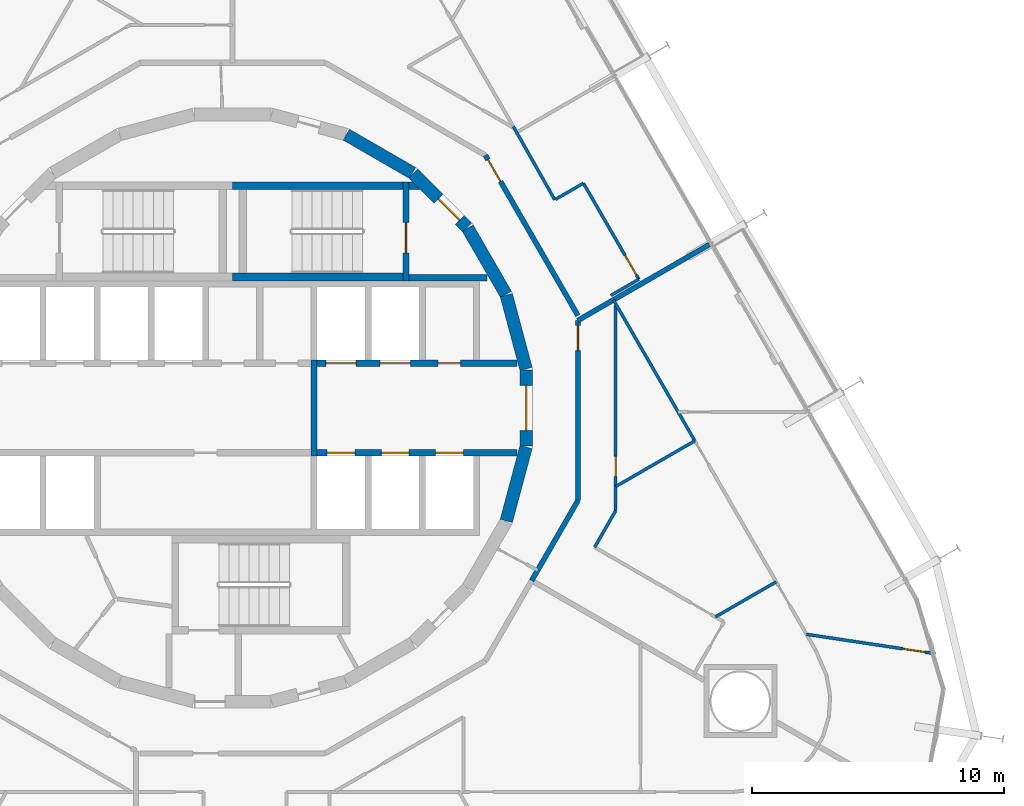
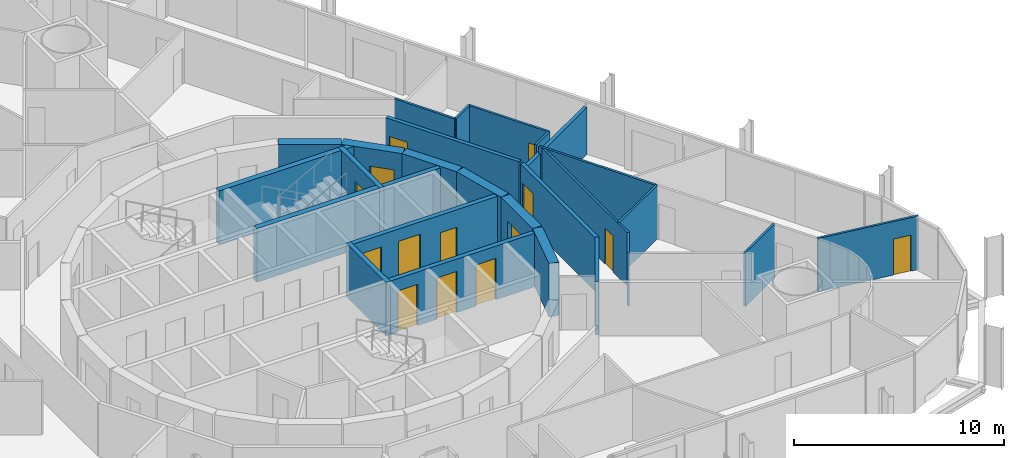
# One storey, part 16 of 19: 28 walls, 14 doors, 14 openings.
"""IFC4 building model written with IfcOpenShell, lengths in metres."""

from ifc_helpers import new_model, si_unit, direction, frame, frame_2d, origin, place, context, subcontext, project, spatial, polyline, rectangle, outline, extrude, material, layer, layer_set, type_object, element, fill, save


model = new_model("IFC4")

# Units and contexts
model_context = context("Model", 3, precision=1e-05, world=origin(), true_north=direction((0.0, 1.0)))
body_context = subcontext(model_context, "Body", "Model", "MODEL_VIEW")
ifc_project = project(units=[si_unit("LENGTHUNIT", "METRE"), si_unit("AREAUNIT", "SQUARE_METRE"), si_unit("VOLUMEUNIT", "CUBIC_METRE"), si_unit("PLANEANGLEUNIT", "RADIAN"), si_unit("MASSUNIT", "GRAM", prefix="KILO")], contexts=[model_context])

# Site, building, storey
site_placement = place(None, origin())
site = spatial("IfcSite", under=ifc_project, at=site_placement, CompositionType="ELEMENT")
building_placement = place(site_placement, origin())
building = spatial("IfcBuilding", under=site, at=building_placement, Name="Spindle Arch Residences", CompositionType="ELEMENT")
storey_placement = place(building_placement, frame((0.0, 0.0, 45.39990234375)))
storey = spatial("IfcBuildingStorey", under=building, at=storey_placement, Name="L09", CompositionType="ELEMENT", Elevation=45.39990234375)

# Wall
ifc_material_1 = material(Name="Concrete C50/60", Category="concrete")
ifc_layer_1 = layer(ifc_material_1, 0.5)
ifc_layer_set_1 = layer_set([ifc_layer_1], Name="Core outline wall 500")
wall_type_1 = type_object("IfcWallType", Name="Core outline wall 500", PredefinedType="SHEAR", material=ifc_layer_set_1)
wall_1_placement = place(storey_placement, frame((10.858154296875, -4.479248046875, 0.0), z_axis=(0.0, 0.0, 1.0), x_axis=(0.258734743916, 0.965948410781, 0.0)))
element("IfcWall", 1, at=wall_1_placement, inside=storey, type_object=wall_type_1, Name="Core outline wall 5", PredefinedType="SHEAR", context=body_context, shape_type="SweptSolid", body=[
    extrude(rectangle(XDim=3.03271484375, YDim=0.5, at=frame_2d((1.516357421875, 0.0))), origin(), (0.0, 0.0, 1.0), 3.1201171875),
])

# Wall, opening, door
wall_2_placement = place(storey_placement, frame((11.647216796875, -1.516357421875, 0.0), z_axis=(0.0, 0.0, 1.0), x_axis=(0.0, 1.0, 0.0)))
wall_2 = element("IfcWall", 2, at=wall_2_placement, inside=storey, type_object=wall_type_1, Name="Core outline wall 6", PredefinedType="SHEAR", context=body_context, shape_type="SweptSolid", body=[
    extrude(rectangle(XDim=3.03271484375, YDim=0.5, at=frame_2d((1.516357421875, 0.0))), origin(), (0.0, 0.0, 1.0), 3.1201171875),
])
opening_1_placement = place(wall_2_placement, frame((0.6162109375, 0.0, 0.0)))
opening_1 = element("IfcOpeningElement", 3, at=opening_1_placement, cuts=wall_2, Name="Opening R1A0-FE01", PredefinedType="OPENING", context=body_context, shape_type="SweptSolid", body=[
    extrude(rectangle(XDim=1.800048828125, YDim=2.10009765625, at=frame_2d((0.89990234375, 1.050048828125))), frame((0.0, 0.260009765625, 0.0), z_axis=(0.0, -1.0, 0.0), x_axis=(1.0, 0.0, 0.0)), (0.0, 0.0, 1.0), 0.52001953125),
])
ifc_material_2 = material(Name="Steel, fire-resisting door", Category="steel")
door_type_1 = type_object("IfcDoorType", Name="Fire-lift lobby door 1800x2100", OperationType="DOUBLE_DOOR_SINGLE_SWING", PredefinedType="DOOR", material=ifc_material_2)
door_1_placement = place(opening_1_placement, origin())
door_1 = element("IfcDoor", 4, at=door_1_placement, inside=storey, type_object=door_type_1, Name="Fire-lift lobby door R1A0-FE01", OperationType="DOUBLE_DOOR_SINGLE_SWING", OverallHeight=2.10009765625, OverallWidth=1.800048828125, PredefinedType="DOOR", context=body_context, shape_type="SweptSolid", body=[
    extrude(rectangle(XDim=1.800048828125, YDim=2.10009765625, at=frame_2d((0.89990234375, 1.050048828125))), frame((0.0, 0.02490234375, 0.0), z_axis=(0.0, -1.0, 0.0), x_axis=(1.0, 0.0, 0.0)), (0.0, 0.0, 1.0), 0.050048828125),
])
fill(opening_1, door_1)

# Walls
for number, where, z_axis, x_axis, name in (
    (5, (11.642822265625, 1.5498046875, 0.0), (0.0, 0.0, 1.0), (-0.258734743916, 0.965948410781, 0.0), "Core outline wall 7"),
    (6, (10.84521484375, 4.510498046875, 0.0), (0.0, 0.0, 1.0), (-0.500087131594, 0.865975092491, 0.0), "Core outline wall 8"),
):
    element("IfcWall", number, at=place(storey_placement, frame(where, z_axis=z_axis, x_axis=x_axis)), inside=storey, type_object=wall_type_1, Name=name, PredefinedType="SHEAR", context=body_context, shape_type="SweptSolid", body=[
        extrude(rectangle(XDim=3.03271484375, YDim=0.5, at=frame_2d((1.516357421875, 0.0))), origin(), (0.0, 0.0, 1.0), 3.1201171875),
    ])

# Wall, opening, door
wall_3_placement = place(storey_placement, frame((9.30810546875, 7.163818359375, 0.0), z_axis=(0.0, 0.0, 1.0), x_axis=(-0.707106781187, 0.707106781187, 0.0)))
wall_3 = element("IfcWall", 7, at=wall_3_placement, inside=storey, type_object=wall_type_1, Name="Core outline wall 9", PredefinedType="SHEAR", context=body_context, shape_type="SweptSolid", body=[
    extrude(rectangle(XDim=3.032470703125, YDim=0.5, at=frame_2d((1.51611328125, 0.0))), origin(), (0.0, 0.0, 1.0), 3.1201171875),
])
opening_2_placement = place(wall_3_placement, frame((0.416259765625, 0.0, 0.0)))
opening_2 = element("IfcOpeningElement", 8, at=opening_2_placement, cuts=wall_3, Name="Opening R1A0-AD01", PredefinedType="OPENING", context=body_context, shape_type="SweptSolid", body=[
    extrude(rectangle(XDim=1.199951171875, YDim=2.10009765625, at=frame_2d((0.60009765625, 1.050048828125))), frame((0.0, 0.260009765625, 0.0), z_axis=(0.0, -1.0, 0.0), x_axis=(1.0, 0.0, 0.0)), (0.0, 0.0, 1.0), 0.52001953125),
])
ifc_material_3 = material(Name="Steel, fire-resisting door", Category="steel")
door_type_2 = type_object("IfcDoorType", Name="Stair airlock door 1200x2100", OperationType="SINGLE_SWING_LEFT", PredefinedType="DOOR", material=ifc_material_3)
door_2_placement = place(opening_2_placement, origin())
door_2 = element("IfcDoor", 9, at=door_2_placement, inside=storey, type_object=door_type_2, Name="Stair airlock door R1A0-AD01", OperationType="SINGLE_SWING_RIGHT", OverallHeight=2.10009765625, OverallWidth=1.199951171875, PredefinedType="DOOR", context=body_context, shape_type="SweptSolid", body=[
    extrude(rectangle(XDim=1.199951171875, YDim=2.10009765625, at=frame_2d((0.60009765625, 1.050048828125))), frame((0.0, 0.02490234375, 0.0), z_axis=(0.0, -1.0, 0.0), x_axis=(1.0, 0.0, 0.0)), (0.0, 0.0, 1.0), 0.050048828125),
])
fill(opening_2, door_2)

# Wall
wall_4_placement = place(storey_placement, frame((7.13671875, 9.32861328125, 0.0), z_axis=(0.0, 0.0, 1.0), x_axis=(-0.865975092491, 0.500087131594, 0.0)))
element("IfcWall", 10, at=wall_4_placement, inside=storey, type_object=wall_type_1, Name="Core outline wall 10", PredefinedType="SHEAR", context=body_context, shape_type="SweptSolid", body=[
    extrude(rectangle(XDim=3.03271484375, YDim=0.5, at=frame_2d((1.516357421875, 0.0))), origin(), (0.0, 0.0, 1.0), 3.1201171875),
])

# Wall, opening, door
ifc_material_4 = material(Name="Calcium silicate block, plastered")
ifc_layer_2 = layer(ifc_material_4, 0.199951171875)
ifc_layer_set_2 = layer_set([ifc_layer_2], Name="Corridor wall 200")
wall_type_2 = type_object("IfcWallType", Name="Corridor wall 200", PredefinedType="STANDARD", material=ifc_layer_set_2)
wall_5_placement = place(storey_placement, frame((13.699951171875, 3.6708984375, 0.0), z_axis=(0.0, 0.0, 1.0), x_axis=(-0.500001669485, 0.866024439905, 0.0)))
wall_5 = element("IfcWall", 11, at=wall_5_placement, inside=storey, type_object=wall_type_2, Name="Corridor wall R1A0-W004", PredefinedType="STANDARD", context=body_context, shape_type="SweptSolid", body=[
    extrude(rectangle(XDim=7.341796875, YDim=0.199951171875, at=frame_2d((3.6708984375, 0.0))), origin(), (0.0, 0.0, 1.0), 3.1201171875),
])
opening_3_placement = place(wall_5_placement, frame((6.141845703125, 0.0, 0.0)))
opening_3 = element("IfcOpeningElement", 12, at=opening_3_placement, cuts=wall_5, Name="Opening R1A0-FD01", PredefinedType="OPENING", context=body_context, shape_type="SweptSolid", body=[
    extrude(rectangle(XDim=1.0, YDim=2.10009765625, at=frame_2d((0.5, 1.050048828125))), frame((0.0, 0.10986328125, 0.0), z_axis=(0.0, -1.0, 0.0), x_axis=(1.0, 0.0, 0.0)), (0.0, 0.0, 1.0), 0.219970703125),
])
ifc_material_5 = material(Name="Timber, fire-resisting door set", Category="wood")
door_type_3 = type_object("IfcDoorType", Name="Flat entrance door 1000x2100", OperationType="NOTDEFINED", PredefinedType="DOOR", material=ifc_material_5)
door_3_placement = place(opening_3_placement, origin())
door_3 = element("IfcDoor", 13, at=door_3_placement, inside=storey, type_object=door_type_3, Name="Flat entrance door R1A0-FD01", OperationType="SINGLE_SWING_RIGHT", OverallHeight=2.10009765625, OverallWidth=1.0, PredefinedType="DOOR", context=body_context, shape_type="SweptSolid", body=[
    extrude(rectangle(XDim=1.0, YDim=2.10009765625, at=frame_2d((0.5, 1.050048828125))), frame((0.0, 0.02490234375, 0.0), z_axis=(0.0, -1.0, 0.0), x_axis=(1.0, 0.0, 0.0)), (0.0, 0.0, 1.0), 0.050048828125),
])
fill(opening_3, door_3)

# Wall
wall_6_placement = place(storey_placement, frame((11.864990234375, -6.84912109375, 0.0), z_axis=(0.0, 0.0, 1.0), x_axis=(0.500002704028, 0.866023842607, 0.0)))
element("IfcWall", 14, at=wall_6_placement, inside=storey, type_object=wall_type_2, Name="Corridor wall R1A0-W007", PredefinedType="STANDARD", context=body_context, shape_type="SweptSolid", body=[
    extrude(rectangle(XDim=3.669921875, YDim=0.199951171875, at=frame_2d((1.8349609375, 0.0))), origin(), (0.0, 0.0, 1.0), 3.1201171875),
])

# Wall, opening, door
wall_7_placement = place(storey_placement, frame((13.699951171875, -3.6708984375, 0.0), z_axis=(0.0, 0.0, 1.0), x_axis=(0.0, 1.0, 0.0)))
wall_7 = element("IfcWall", 15, at=wall_7_placement, inside=storey, type_object=wall_type_2, Name="Corridor wall R1A0-W008", PredefinedType="STANDARD", context=body_context, shape_type="SweptSolid", body=[
    extrude(rectangle(XDim=7.146484375, YDim=0.199951171875, at=frame_2d((3.5732421875, 0.0))), origin(), (0.0, 0.0, 1.0), 3.1201171875),
])
opening_4_placement = place(wall_7_placement, frame((5.946533203125, 0.0, 0.0)))
opening_4 = element("IfcOpeningElement", 16, at=opening_4_placement, cuts=wall_7, Name="Opening R1A0-FD06", PredefinedType="OPENING", context=body_context, shape_type="SweptSolid", body=[
    extrude(rectangle(XDim=1.0, YDim=2.10009765625, at=frame_2d((0.5, 1.050048828125))), frame((0.0, 0.10986328125, 0.0), z_axis=(0.0, -1.0, 0.0), x_axis=(1.0, 0.0, 0.0)), (0.0, 0.0, 1.0), 0.219970703125),
])
door_4_placement = place(opening_4_placement, origin())
door_4 = element("IfcDoor", 17, at=door_4_placement, inside=storey, type_object=door_type_3, Name="Flat entrance door R1A0-FD06", OperationType="SINGLE_SWING_LEFT", OverallHeight=2.10009765625, OverallWidth=1.0, PredefinedType="DOOR", context=body_context, shape_type="SweptSolid", body=[
    extrude(rectangle(XDim=1.0, YDim=2.10009765625, at=frame_2d((0.5, 1.050048828125))), frame((0.0, 0.02490234375, 0.0), z_axis=(0.0, -1.0, 0.0), x_axis=(1.0, 0.0, 0.0)), (0.0, 0.0, 1.0), 0.050048828125),
])
fill(opening_4, door_4)

# Wall, openings, doors
ifc_material_6 = material(Name="Concrete C40/50", Category="concrete")
ifc_layer_3 = layer(ifc_material_6, 0.25)
ifc_layer_set_3 = layer_set([ifc_layer_3], Name="Fire-lift lobby wall 250")
wall_type_3 = type_object("IfcWallType", Name="Fire-lift lobby wall 250", PredefinedType="SHEAR", material=ifc_layer_set_3)
wall_8_placement = place(storey_placement, frame((3.35009765625, 1.77490234375, 0.0), z_axis=(0.0, 0.0, 1.0), x_axis=(1.0, 0.0, 0.0)))
wall_8 = element("IfcWall", 18, at=wall_8_placement, inside=storey, type_object=wall_type_3, Name="Lift shaft front wall NE", PredefinedType="SHEAR", context=body_context, shape_type="SweptSolid", body=[
    extrude(rectangle(XDim=7.929931640625, YDim=0.25, at=frame_2d((3.96484375, 0.0))), origin(), (0.0, 0.0, 1.0), 3.1201171875),
])
opening_5_placement = place(wall_8_placement, frame((0.35009765625, 0.0, 0.0)))
opening_5 = element("IfcOpeningElement", 19, at=opening_5_placement, cuts=wall_8, Name="Opening R1A0-SLD01", PredefinedType="OPENING", context=body_context, shape_type="SweptSolid", body=[
    extrude(rectangle(XDim=1.199951171875, YDim=2.39990234375, at=frame_2d((0.60009765625, 1.199951171875))), frame((0.0, 0.135009765625, 0.0), z_axis=(0.0, -1.0, 0.0), x_axis=(1.0, 0.0, 0.0)), (0.0, 0.0, 1.0), 0.27001953125),
])
opening_6_placement = place(wall_8_placement, frame((2.5, 0.0, 0.0)))
opening_6 = element("IfcOpeningElement", 20, at=opening_6_placement, cuts=wall_8, Name="Opening R1A0-SLD02", PredefinedType="OPENING", context=body_context, shape_type="SweptSolid", body=[
    extrude(rectangle(XDim=1.199951171875, YDim=2.39990234375, at=frame_2d((0.60009765625, 1.199951171875))), frame((0.0, 0.135009765625, 0.0), z_axis=(0.0, -1.0, 0.0), x_axis=(1.0, 0.0, 0.0)), (0.0, 0.0, 1.0), 0.27001953125),
])
opening_7_placement = place(wall_8_placement, frame((4.800048828125, 0.0, 0.0)))
opening_7 = element("IfcOpeningElement", 21, at=opening_7_placement, cuts=wall_8, Name="Opening R1A0-WD03", PredefinedType="OPENING", context=body_context, shape_type="SweptSolid", body=[
    extrude(rectangle(XDim=0.89990234375, YDim=2.10009765625, at=frame_2d((0.449951171875, 1.050048828125))), frame((0.0, 0.135009765625, 0.0), z_axis=(0.0, -1.0, 0.0), x_axis=(1.0, 0.0, 0.0)), (0.0, 0.0, 1.0), 0.27001953125),
])
ifc_material_7 = material(Name="Steel, fire-resisting landing door", Category="steel")
door_type_4 = type_object("IfcDoorType", Name="Service lift landing door 1200x2400", OperationType="DOUBLE_DOOR_SLIDING", PredefinedType="DOOR", material=ifc_material_7)
door_5_placement = place(opening_5_placement, origin())
door_5 = element("IfcDoor", 22, at=door_5_placement, inside=storey, type_object=door_type_4, Name="Service lift landing door R1A0-SLD01", OperationType="DOUBLE_DOOR_SLIDING", OverallHeight=2.39990234375, OverallWidth=1.199951171875, PredefinedType="DOOR", context=body_context, shape_type="SweptSolid", body=[
    extrude(rectangle(XDim=1.199951171875, YDim=2.39990234375, at=frame_2d((0.60009765625, 1.199951171875))), frame((0.0, 0.02490234375, 0.0), z_axis=(0.0, -1.0, 0.0), x_axis=(1.0, 0.0, 0.0)), (0.0, 0.0, 1.0), 0.050048828125),
])
fill(opening_5, door_5)
door_6_placement = place(opening_6_placement, origin())
door_6 = element("IfcDoor", 23, at=door_6_placement, inside=storey, type_object=door_type_4, Name="Service lift landing door R1A0-SLD02", OperationType="DOUBLE_DOOR_SLIDING", OverallHeight=2.39990234375, OverallWidth=1.199951171875, PredefinedType="DOOR", context=body_context, shape_type="SweptSolid", body=[
    extrude(rectangle(XDim=1.199951171875, YDim=2.39990234375, at=frame_2d((0.60009765625, 1.199951171875))), frame((0.0, 0.02490234375, 0.0), z_axis=(0.0, -1.0, 0.0), x_axis=(1.0, 0.0, 0.0)), (0.0, 0.0, 1.0), 0.050048828125),
])
fill(opening_6, door_6)
ifc_material_8 = material(Name="Steel, fire-resisting door", Category="steel")
door_type_5 = type_object("IfcDoorType", Name="Service room door 900x2100", OperationType="SINGLE_SWING_LEFT", PredefinedType="DOOR", material=ifc_material_8)
door_7_placement = place(opening_7_placement, origin())
door_7 = element("IfcDoor", 24, at=door_7_placement, inside=storey, type_object=door_type_5, Name="Service room door R1A0-WD03", OperationType="SINGLE_SWING_RIGHT", OverallHeight=2.10009765625, OverallWidth=0.89990234375, PredefinedType="DOOR", context=body_context, shape_type="SweptSolid", body=[
    extrude(rectangle(XDim=0.89990234375, YDim=2.10009765625, at=frame_2d((0.449951171875, 1.050048828125))), frame((0.0, 0.02490234375, 0.0), z_axis=(0.0, -1.0, 0.0), x_axis=(1.0, 0.0, 0.0)), (0.0, 0.0, 1.0), 0.050048828125),
])
fill(opening_7, door_7)

# Wall
wall_9_placement = place(storey_placement, frame((3.22509765625, -1.89990234375, 0.0), z_axis=(0.0, 0.0, 1.0), x_axis=(0.0, 1.0, 0.0)))
element("IfcWall", 25, at=wall_9_placement, inside=storey, type_object=wall_type_3, Name="Fire-fighting lobby partition", PredefinedType="SHEAR", context=body_context, shape_type="SweptSolid", body=[
    extrude(rectangle(XDim=3.7998046875, YDim=0.25, at=frame_2d((1.89990234375, 0.0))), origin(), (0.0, 0.0, 1.0), 3.1201171875),
])

# Wall, openings, doors
ifc_material_9 = material(Name="Concrete C50/60", Category="concrete")
ifc_layer_4 = layer(ifc_material_9, 0.25)
ifc_layer_set_4 = layer_set([ifc_layer_4], Name="Fire-lift shaft wall 250")
wall_type_4 = type_object("IfcWallType", Name="Fire-lift shaft wall 250", PredefinedType="SHEAR", material=ifc_layer_set_4)
wall_10_placement = place(storey_placement, frame((3.35009765625, -1.77490234375, 0.0), z_axis=(0.0, 0.0, 1.0), x_axis=(1.0, 0.0, 0.0)))
wall_10 = element("IfcWall", 26, at=wall_10_placement, inside=storey, type_object=wall_type_4, Name="Lift shaft front wall SE", PredefinedType="SHEAR", context=body_context, shape_type="SweptSolid", body=[
    extrude(rectangle(XDim=7.929931640625, YDim=0.25, at=frame_2d((3.96484375, 0.0))), origin(), (0.0, 0.0, 1.0), 3.1201171875),
])
opening_8_placement = place(wall_10_placement, frame((0.39990234375, 0.0, 0.0)))
opening_8 = element("IfcOpeningElement", 27, at=opening_8_placement, cuts=wall_10, Name="Opening R1A0-FLD01", PredefinedType="OPENING", context=body_context, shape_type="SweptSolid", body=[
    extrude(rectangle(XDim=1.10009765625, YDim=2.39990234375, at=frame_2d((0.550048828125, 1.199951171875))), frame((0.0, 0.135009765625, 0.0), z_axis=(0.0, -1.0, 0.0), x_axis=(1.0, 0.0, 0.0)), (0.0, 0.0, 1.0), 0.27001953125),
])
opening_9_placement = place(wall_10_placement, frame((2.550048828125, 0.0, 0.0)))
opening_9 = element("IfcOpeningElement", 28, at=opening_9_placement, cuts=wall_10, Name="Opening R1A0-FLD02", PredefinedType="OPENING", context=body_context, shape_type="SweptSolid", body=[
    extrude(rectangle(XDim=1.10009765625, YDim=2.39990234375, at=frame_2d((0.550048828125, 1.199951171875))), frame((0.0, 0.135009765625, 0.0), z_axis=(0.0, -1.0, 0.0), x_axis=(1.0, 0.0, 0.0)), (0.0, 0.0, 1.0), 0.27001953125),
])
opening_10_placement = place(wall_10_placement, frame((4.699951171875, 0.0, 0.0)))
opening_10 = element("IfcOpeningElement", 29, at=opening_10_placement, cuts=wall_10, Name="Opening R1A0-FLD03", PredefinedType="OPENING", context=body_context, shape_type="SweptSolid", body=[
    extrude(rectangle(XDim=1.10009765625, YDim=2.39990234375, at=frame_2d((0.550048828125, 1.199951171875))), frame((0.0, 0.135009765625, 0.0), z_axis=(0.0, -1.0, 0.0), x_axis=(1.0, 0.0, 0.0)), (0.0, 0.0, 1.0), 0.27001953125),
])
ifc_material_10 = material(Name="Steel, fire-resisting landing door", Category="steel")
door_type_6 = type_object("IfcDoorType", Name="Fire-fighting lift landing door 1100x2400", OperationType="DOUBLE_DOOR_SLIDING", PredefinedType="DOOR", material=ifc_material_10)
door_8_placement = place(opening_8_placement, origin())
door_8 = element("IfcDoor", 30, at=door_8_placement, inside=storey, type_object=door_type_6, Name="Fire-fighting lift landing door R1A0-FLD01", OperationType="DOUBLE_DOOR_SLIDING", OverallHeight=2.39990234375, OverallWidth=1.10009765625, PredefinedType="DOOR", context=body_context, shape_type="SweptSolid", body=[
    extrude(rectangle(XDim=1.10009765625, YDim=2.39990234375, at=frame_2d((0.550048828125, 1.199951171875))), frame((0.0, 0.02490234375, 0.0), z_axis=(0.0, -1.0, 0.0), x_axis=(1.0, 0.0, 0.0)), (0.0, 0.0, 1.0), 0.050048828125),
])
fill(opening_8, door_8)
door_9_placement = place(opening_9_placement, origin())
door_9 = element("IfcDoor", 31, at=door_9_placement, inside=storey, type_object=door_type_6, Name="Fire-fighting lift landing door R1A0-FLD02", OperationType="DOUBLE_DOOR_SLIDING", OverallHeight=2.39990234375, OverallWidth=1.10009765625, PredefinedType="DOOR", context=body_context, shape_type="SweptSolid", body=[
    extrude(rectangle(XDim=1.10009765625, YDim=2.39990234375, at=frame_2d((0.550048828125, 1.199951171875))), frame((0.0, 0.02490234375, 0.0), z_axis=(0.0, -1.0, 0.0), x_axis=(1.0, 0.0, 0.0)), (0.0, 0.0, 1.0), 0.050048828125),
])
fill(opening_9, door_9)
door_10_placement = place(opening_10_placement, origin())
door_10 = element("IfcDoor", 32, at=door_10_placement, inside=storey, type_object=door_type_6, Name="Fire-fighting lift landing door R1A0-FLD03", OperationType="DOUBLE_DOOR_SLIDING", OverallHeight=2.39990234375, OverallWidth=1.10009765625, PredefinedType="DOOR", context=body_context, shape_type="SweptSolid", body=[
    extrude(rectangle(XDim=1.10009765625, YDim=2.39990234375, at=frame_2d((0.550048828125, 1.199951171875))), frame((0.0, 0.02490234375, 0.0), z_axis=(0.0, -1.0, 0.0), x_axis=(1.0, 0.0, 0.0)), (0.0, 0.0, 1.0), 0.050048828125),
])
fill(opening_10, door_10)

# Wall
ifc_material_11 = material(Name="Plasterboard on steel studs", Category="steel")
ifc_layer_5 = layer(ifc_material_11, 0.1201171875)
ifc_layer_set_5 = layer_set([ifc_layer_5], Name="Flat partition 120")
wall_type_5 = type_object("IfcWallType", Name="Flat partition 120", PredefinedType="PARTITIONING", material=ifc_layer_set_5)
wall_11_placement = place(storey_placement, frame((15.007080078125, 4.466796875, 0.0), z_axis=(0.0, 0.0, 1.0), x_axis=(0.86599869919, 0.500046250861, 0.0)))
element("IfcWall", 33, at=wall_11_placement, inside=storey, type_object=wall_type_5, Name="Flat partition R1A0-W027", PredefinedType="PARTITIONING", context=body_context, shape_type="SweptSolid", body=[
    extrude(rectangle(XDim=1.28369140625, YDim=0.1201171875, at=frame_2d((0.641845703125, 0.0))), origin(), (0.0, 0.0, 1.0), 3.1201171875),
])

# Wall, opening, door
wall_12_placement = place(storey_placement, frame((16.11865234375, 5.108642578125, 0.0), z_axis=(0.0, 0.0, 1.0), x_axis=(-0.499988222896, 0.866032203192, 0.0)))
wall_12 = element("IfcWall", 34, at=wall_12_placement, inside=storey, type_object=wall_type_5, Name="Flat partition R1A0-W028", PredefinedType="PARTITIONING", context=body_context, shape_type="SweptSolid", body=[
    extrude(rectangle(XDim=4.39990234375, YDim=0.1201171875, at=frame_2d((2.199951171875, 0.0))), origin(), (0.0, 0.0, 1.0), 3.1201171875),
])
opening_11_placement = place(wall_12_placement, frame((0.199951171875, 0.0, 0.0)))
opening_11 = element("IfcOpeningElement", 35, at=opening_11_placement, cuts=wall_12, Name="Opening R1A0-ID01", PredefinedType="OPENING", context=body_context, shape_type="SweptSolid", body=[
    extrude(rectangle(XDim=0.89990234375, YDim=2.10009765625, at=frame_2d((0.449951171875, 1.050048828125))), frame((0.0, 0.070068359375, 0.0), z_axis=(0.0, -1.0, 0.0), x_axis=(1.0, 0.0, 0.0)), (0.0, 0.0, 1.0), 0.14013671875),
])
ifc_material_12 = material(Name="Timber door set", Category="wood")
door_type_7 = type_object("IfcDoorType", Name="Room door 900x2100", OperationType="NOTDEFINED", PredefinedType="DOOR", material=ifc_material_12)
door_11_placement = place(opening_11_placement, origin())
door_11 = element("IfcDoor", 36, at=door_11_placement, inside=storey, type_object=door_type_7, Name="Room door R1A0-ID01", OperationType="SINGLE_SWING_LEFT", OverallHeight=2.10009765625, OverallWidth=0.89990234375, PredefinedType="DOOR", context=body_context, shape_type="SweptSolid", body=[
    extrude(rectangle(XDim=0.89990234375, YDim=2.10009765625, at=frame_2d((0.449951171875, 1.050048828125))), frame((0.0, 0.02490234375, 0.0), z_axis=(0.0, -1.0, 0.0), x_axis=(1.0, 0.0, 0.0)), (0.0, 0.0, 1.0), 0.050048828125),
])
fill(opening_11, door_11)

# Walls
wall_13_placement = place(storey_placement, frame((13.918701171875, 8.919189453125, 0.0), z_axis=(0.0, 0.0, 1.0), x_axis=(-0.86599869919, -0.500046250861, 0.0)))
element("IfcWall", 37, at=wall_13_placement, inside=storey, type_object=wall_type_5, Name="Flat partition R1A0-W029", PredefinedType="PARTITIONING", context=body_context, shape_type="SweptSolid", body=[
    extrude(rectangle(XDim=1.28369140625, YDim=0.1201171875, at=frame_2d((0.641845703125, 0.0))), origin(), (0.0, 0.0, 1.0), 3.1201171875),
])
wall_14_placement = place(storey_placement, frame((12.78125, 8.26220703125, 0.0), z_axis=(0.0, 0.0, 1.0), x_axis=(-0.492233259633, 0.870463335305, 0.0)))
element("IfcWall", 38, at=wall_14_placement, inside=storey, type_object=wall_type_5, Name="Flat partition R1A0-W030", PredefinedType="PARTITIONING", context=body_context, shape_type="SweptSolid", body=[
    extrude(rectangle(XDim=3.33642578125, YDim=0.1201171875, at=frame_2d((1.668212890625, 0.0))), origin(), (0.0, 0.0, 1.0), 3.1201171875),
])
wall_15_placement = place(storey_placement, frame((14.362548828125, -5.523193359375, 0.0), z_axis=(0.0, 0.0, 1.0), x_axis=(0.499995851058, 0.866027799164, 0.0)))
element("IfcWall", 39, at=wall_15_placement, inside=storey, type_object=wall_type_5, Name="Flat partition R1A0-W103", PredefinedType="PARTITIONING", context=body_context, shape_type="SweptSolid", body=[
    extrude(rectangle(XDim=1.6748046875, YDim=0.1201171875, at=frame_2d((0.83740234375, 0.0))), origin(), (0.0, 0.0, 1.0), 3.1201171875),
])

# Wall, opening, door
wall_16_placement = place(storey_placement, frame((15.199951171875, -4.07275390625, 0.0), z_axis=(0.0, 0.0, 1.0), x_axis=(0.0, 1.0, 0.0)))
wall_16 = element("IfcWall", 40, at=wall_16_placement, inside=storey, type_object=wall_type_5, Name="Flat partition R1A0-W104", PredefinedType="PARTITIONING", context=body_context, shape_type="SweptSolid", body=[
    extrude(rectangle(XDim=8.1455078125, YDim=0.1201171875, at=frame_2d((4.07275390625, 0.0))), origin(), (0.0, 0.0, 1.0), 3.1201171875),
])
opening_12_placement = place(wall_16_placement, frame((1.357177734375, 0.0, 0.0)))
opening_12 = element("IfcOpeningElement", 41, at=opening_12_placement, cuts=wall_16, Name="Opening R1A0-BD07", PredefinedType="OPENING", context=body_context, shape_type="SweptSolid", body=[
    extrude(rectangle(XDim=0.800048828125, YDim=2.10009765625, at=frame_2d((0.39990234375, 1.050048828125))), frame((0.0, 0.070068359375, 0.0), z_axis=(0.0, -1.0, 0.0), x_axis=(1.0, 0.0, 0.0)), (0.0, 0.0, 1.0), 0.14013671875),
])
ifc_material_13 = material(Name="Timber door set", Category="wood")
door_type_8 = type_object("IfcDoorType", Name="Bathroom door 800x2100", OperationType="NOTDEFINED", PredefinedType="DOOR", material=ifc_material_13)
door_12_placement = place(opening_12_placement, origin())
door_12 = element("IfcDoor", 42, at=door_12_placement, inside=storey, type_object=door_type_8, Name="Bathroom door R1A0-BD07", OperationType="SINGLE_SWING_LEFT", OverallHeight=2.10009765625, OverallWidth=0.800048828125, PredefinedType="DOOR", context=body_context, shape_type="SweptSolid", body=[
    extrude(rectangle(XDim=0.800048828125, YDim=2.10009765625, at=frame_2d((0.39990234375, 1.050048828125))), frame((0.0, 0.02490234375, 0.0), z_axis=(0.0, -1.0, 0.0), x_axis=(1.0, 0.0, 0.0)), (0.0, 0.0, 1.0), 0.050048828125),
])
fill(opening_12, door_12)

# Wall
wall_17_placement = place(storey_placement, frame((15.109619140625, 4.289306640625, 0.0), z_axis=(0.0, 0.0, 1.0), x_axis=(0.500001702147, -0.866024421047, 0.0)))
element("IfcWall", 43, at=wall_17_placement, inside=storey, type_object=wall_type_5, Name="Flat partition R1A0-W106", PredefinedType="PARTITIONING", context=body_context, shape_type="SweptSolid", body=[
    extrude(rectangle(XDim=6.4580078125, YDim=0.1201171875, at=frame_2d((3.22900390625, 0.0))), origin(), (0.0, 0.0, 1.0), 3.1201171875),
])

# Wall, opening, door
wall_18_placement = place(storey_placement, frame((27.880126953125, -9.7470703125, 0.0), z_axis=(0.0, 0.0, 1.0), x_axis=(-0.988899241625, 0.14858765061, 0.0)))
wall_18 = element("IfcWall", 44, at=wall_18_placement, inside=storey, type_object=wall_type_5, Name="Flat partition R1A0-W112", PredefinedType="PARTITIONING", context=body_context, shape_type="SweptSolid", body=[
    extrude(rectangle(XDim=5.16748046875, YDim=0.1201171875, at=frame_2d((2.583740234375, 0.0))), origin(), (0.0, 0.0, 1.0), 3.1201171875),
])
opening_13_placement = place(wall_18_placement, frame((0.39990234375, 0.0, 0.0)))
opening_13 = element("IfcOpeningElement", 45, at=opening_13_placement, cuts=wall_18, Name="Opening R1A0-ID34", PredefinedType="OPENING", context=body_context, shape_type="SweptSolid", body=[
    extrude(rectangle(XDim=0.89990234375, YDim=2.10009765625, at=frame_2d((0.449951171875, 1.050048828125))), frame((0.0, 0.070068359375, 0.0), z_axis=(0.0, -1.0, 0.0), x_axis=(1.0, 0.0, 0.0)), (0.0, 0.0, 1.0), 0.14013671875),
])
door_13_placement = place(opening_13_placement, origin())
door_13 = element("IfcDoor", 46, at=door_13_placement, inside=storey, type_object=door_type_7, Name="Room door R1A0-ID34", OperationType="SINGLE_SWING_LEFT", OverallHeight=2.10009765625, OverallWidth=0.89990234375, PredefinedType="DOOR", context=body_context, shape_type="SweptSolid", body=[
    extrude(rectangle(XDim=0.89990234375, YDim=2.10009765625, at=frame_2d((0.449951171875, 1.050048828125))), frame((0.0, 0.02490234375, 0.0), z_axis=(0.0, -1.0, 0.0), x_axis=(1.0, 0.0, 0.0)), (0.0, 0.0, 1.0), 0.050048828125),
])
fill(opening_13, door_13)

# Walls
wall_19_placement = place(storey_placement, frame((21.567626953125, -6.896484375, 0.0), z_axis=(0.0, 0.0, 1.0), x_axis=(-0.866029478545, -0.499992942241, 0.0)))
element("IfcWall", 47, at=wall_19_placement, inside=storey, type_object=wall_type_5, Name="Flat partition R1A0-W113", PredefinedType="PARTITIONING", context=body_context, shape_type="SweptSolid", body=[
    extrude(rectangle(XDim=2.78662109375, YDim=0.1201171875, at=frame_2d((1.393310546875, 0.0))), origin(), (0.0, 0.0, 1.0), 3.1201171875),
])
wall_20_placement = place(storey_placement, frame((18.338623046875, -1.303466796875, 0.0), z_axis=(0.0, 0.0, 1.0), x_axis=(-0.866037510713, -0.499979029598, 0.0)))
element("IfcWall", 48, at=wall_20_placement, inside=storey, type_object=wall_type_5, Name="Flat partition R1A0-W114", PredefinedType="PARTITIONING", context=body_context, shape_type="SweptSolid", body=[
    extrude(rectangle(XDim=3.624267578125, YDim=0.1201171875, at=frame_2d((1.81201171875, 0.0))), origin(), (0.0, 0.0, 1.0), 3.1201171875),
])
ifc_material_14 = material(Name="Calcium silicate block, plastered")
ifc_layer_6 = layer(ifc_material_14, 0.199951171875)
ifc_layer_set_6 = layer_set([ifc_layer_6], Name="Flat party wall 200 under beam 2730")
wall_type_6 = type_object("IfcWallType", Name="Flat party wall 200 under beam 2730", PredefinedType="STANDARD", material=ifc_layer_set_6)
wall_21_placement = place(storey_placement, frame((13.699951171875, 3.4755859375, 0.0), z_axis=(0.0, 0.0, 1.0), x_axis=(0.866013584312, 0.500020471368, 0.0)))
element("IfcWall", 49, at=wall_21_placement, inside=storey, type_object=wall_type_6, Name="Flat party wall R1A0-W018", PredefinedType="STANDARD", context=body_context, shape_type="SweptSolid", body=[
    extrude(rectangle(XDim=6.027587890625, YDim=0.199951171875, at=frame_2d((3.013671875, 0.0))), origin(), (0.0, 0.0, 1.0), 2.72998046875),
])
ifc_material_15 = material(Name="Concrete C40/50", Category="concrete")
ifc_layer_7 = layer(ifc_material_15, 0.25)
ifc_layer_set_7 = layer_set([ifc_layer_7], Name="Stair airlock wall 250")
wall_type_7 = type_object("IfcWallType", Name="Stair airlock wall 250", PredefinedType="SHEAR", material=ifc_layer_set_7)
wall_22_placement = place(storey_placement, frame((7.0, 5.175048828125, 0.0), z_axis=(0.0, 0.0, 1.0), x_axis=(1.0, 0.0, 0.0)))
element("IfcWall", 50, at=wall_22_placement, inside=storey, type_object=wall_type_7, Name="Stair ST-1 airlock wall S", PredefinedType="SHEAR", context=body_context, shape_type="SweptSolid", body=[
    extrude(rectangle(XDim=3.10009765625, YDim=0.25, at=frame_2d((1.550048828125, 0.0))), origin(), (0.0, 0.0, 1.0), 3.1201171875),
])
ifc_material_16 = material(Name="Concrete C40/50", Category="concrete")
wall_type_8 = type_object("IfcWallType", Name="Stair airlock wall profile", PredefinedType="SHEAR", material=ifc_material_16)
wall_23_placement = place(storey_placement, origin())
element("IfcWall", 51, at=wall_23_placement, inside=storey, type_object=wall_type_8, Name="Stair ST-1 airlock wall N", PredefinedType="SHEAR", context=body_context, shape_type="SweptSolid", body=[
    extrude(outline(polyline([(7.4482421875, 8.669921875), (7.0, 8.669921875), (7.0, 8.969970703125), (7.148193359375, 8.969970703125), (7.4482421875, 8.669921875)])), origin(), (0.0, 0.0, 1.0), 3.1201171875),
])

# Wall, opening, door
ifc_material_17 = material(Name="Concrete C50/60", Category="concrete")
ifc_layer_8 = layer(ifc_material_17, 0.25)
ifc_layer_set_8 = layer_set([ifc_layer_8], Name="Stair enclosure wall 250")
wall_type_9 = type_object("IfcWallType", Name="Stair enclosure wall 250", PredefinedType="SHEAR", material=ifc_layer_set_8)
wall_24_placement = place(storey_placement, frame((6.875, 5.050048828125, 0.0), z_axis=(0.0, 0.0, 1.0), x_axis=(0.0, 1.0, 0.0)))
wall_24 = element("IfcWall", 52, at=wall_24_placement, inside=storey, type_object=wall_type_9, Name="Stair ST-1 door wall", PredefinedType="SHEAR", context=body_context, shape_type="SweptSolid", body=[
    extrude(rectangle(XDim=3.919921875, YDim=0.25, at=frame_2d((1.9599609375, 0.0))), origin(), (0.0, 0.0, 1.0), 3.1201171875),
])
opening_14_placement = place(wall_24_placement, frame((1.110107421875, 0.0, 0.0)))
opening_14 = element("IfcOpeningElement", 53, at=opening_14_placement, cuts=wall_24, Name="Opening R1A0-SD01", PredefinedType="OPENING", context=body_context, shape_type="SweptSolid", body=[
    extrude(rectangle(XDim=1.199951171875, YDim=2.10009765625, at=frame_2d((0.60009765625, 1.050048828125))), frame((0.0, 0.135009765625, 0.0), z_axis=(0.0, -1.0, 0.0), x_axis=(1.0, 0.0, 0.0)), (0.0, 0.0, 1.0), 0.27001953125),
])
ifc_material_18 = material(Name="Steel, fire-resisting door", Category="steel")
door_type_9 = type_object("IfcDoorType", Name="Stair door 1200x2100", OperationType="SINGLE_SWING_RIGHT", PredefinedType="DOOR", material=ifc_material_18)
door_14_placement = place(opening_14_placement, origin())
door_14 = element("IfcDoor", 54, at=door_14_placement, inside=storey, type_object=door_type_9, Name="Stair door R1A0-SD01", OperationType="SINGLE_SWING_LEFT", OverallHeight=2.10009765625, OverallWidth=1.199951171875, PredefinedType="DOOR", context=body_context, shape_type="SweptSolid", body=[
    extrude(rectangle(XDim=1.199951171875, YDim=2.10009765625, at=frame_2d((0.60009765625, 1.050048828125))), frame((0.0, 0.02490234375, 0.0), z_axis=(0.0, -1.0, 0.0), x_axis=(1.0, 0.0, 0.0)), (0.0, 0.0, 1.0), 0.050048828125),
])
fill(opening_14, door_14)

# Walls
ifc_material_19 = material(Name="Concrete C50/60", Category="concrete")
ifc_layer_9 = layer(ifc_material_19, 0.300048828125)
ifc_layer_set_9 = layer_set([ifc_layer_9], Name="Stair enclosure wall 300")
wall_type_10 = type_object("IfcWallType", Name="Stair enclosure wall 300", PredefinedType="SHEAR", material=ifc_layer_set_9)
for number, where, z_axis, x_axis, name in (
    (55, (0.0, 5.199951171875, 0.0), (0.0, 0.0, 1.0), (1.0, 0.0, 0.0), "Stair ST-1 enclosure wall S"),
    (56, (0.0, 8.820068359375, 0.0), (0.0, 0.0, 1.0), (1.0, 0.0, 0.0), "Stair ST-1 enclosure wall N"),
):
    element("IfcWall", number, at=place(storey_placement, frame(where, z_axis=z_axis, x_axis=x_axis)), inside=storey, type_object=wall_type_10, Name=name, PredefinedType="SHEAR", context=body_context, shape_type="SweptSolid", body=[
        extrude(rectangle(XDim=6.75, YDim=0.300048828125, at=frame_2d((3.375, 0.0))), origin(), (0.0, 0.0, 1.0), 3.1201171875),
    ])

save(model, "model.ifc")
